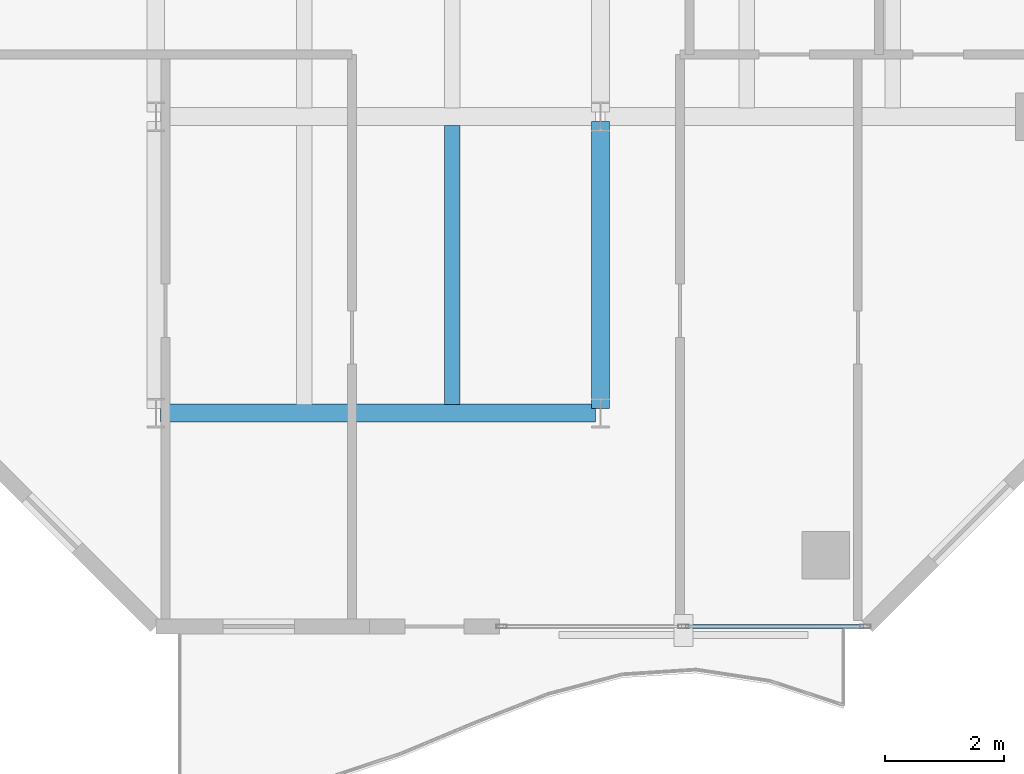
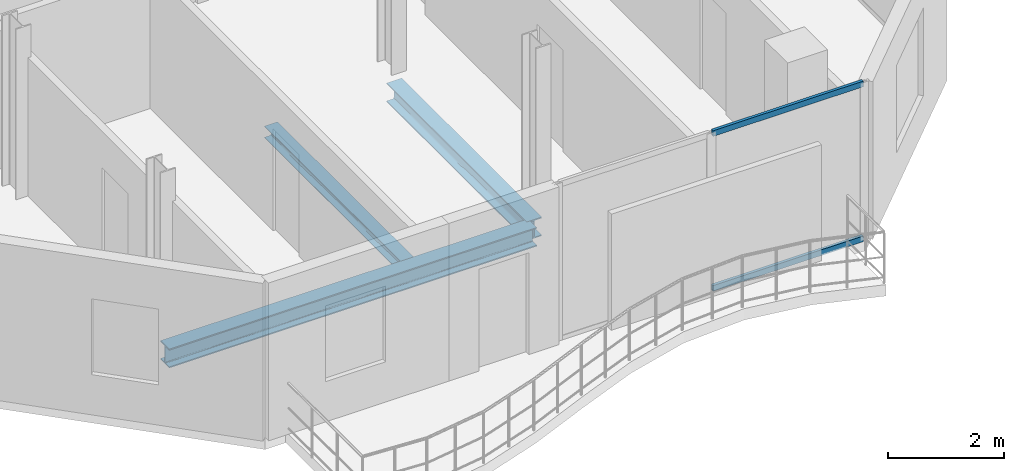
# One storey, part 4 of 23: 3 beams, 2 members, 1 element without a shape of its own.
"""IFC4 building model written with IfcOpenShell, lengths in metres."""

from ifc_helpers import new_model, si_unit, direction, frame, origin, origin_2d, place, context, subcontext, project, spatial, hollow_rectangle, i_section, extrude, material, layer, layer_set, material_profile, profile_set, type_object, element, aggregate, save


model = new_model("IFC4")

# Units and contexts
model_context = context("Model", 3, precision=1e-05, world=origin(), true_north=direction((0.0, 1.0)))
body_context = subcontext(model_context, "Body", "Model", "MODEL_VIEW")
ifc_project = project(units=[si_unit("LENGTHUNIT", "METRE"), si_unit("AREAUNIT", "SQUARE_METRE"), si_unit("VOLUMEUNIT", "CUBIC_METRE"), si_unit("PLANEANGLEUNIT", "RADIAN"), si_unit("MASSUNIT", "GRAM", prefix="KILO")], contexts=[model_context])

# Site, building, storey
site_placement = place(None, origin())
site = spatial("IfcSite", under=ifc_project, at=site_placement, CompositionType="ELEMENT")
building_placement = place(site_placement, origin())
building = spatial("IfcBuilding", under=site, at=building_placement, Name="Catumbela Crestline Tower", CompositionType="ELEMENT")
storey_placement = place(building_placement, frame((0.0, 0.0, 186.6)))
storey = spatial("IfcBuildingStorey", under=building, at=storey_placement, Name="L48", CompositionType="ELEMENT", Elevation=186.6)

# Beams
ifc_material_1 = material(Name="Structural steel S355J2", Category="steel")
ifc_material_profile_1 = material_profile(ifc_material_1, i_section(OverallWidth=0.3, OverallDepth=0.4, WebThickness=0.0135, FlangeThickness=0.024, FilletRadius=0.027, at=origin_2d()), Name="HEB 400")
ifc_profile_set_1 = profile_set([ifc_material_profile_1], Name="Structural steel S355J2")
beam_type_1 = type_object("IfcBeamType", Name="BG-HEB400", PredefinedType="BEAM", material=ifc_profile_set_1)
beam_1_placement = place(storey_placement, frame((8.58, 8.6, -0.46), z_axis=(1.0, 0.0, 0.0), x_axis=(0.0, 1.0, 0.0)))
element("IfcBeam", 1, at=beam_1_placement, inside=storey, type_object=beam_type_1, Name="L48 Beam BM-L48-WEW32", PredefinedType="BEAM", context=body_context, shape_type="SweptSolid", body=[
    extrude(i_section(OverallWidth=0.3, OverallDepth=0.4, WebThickness=0.0135, FlangeThickness=0.024, FilletRadius=0.027, at=origin_2d()), origin(), (0.0, 0.0, 1.0), 7.34),
])
beam_2_placement = place(storey_placement, frame((16.0, 8.68, -0.46), z_axis=(0.0, 1.0, 0.0), x_axis=(-1.0, 0.0, 0.0)))
element("IfcBeam", 2, at=beam_2_placement, inside=storey, type_object=beam_type_1, Name="L48 Beam BM-L48-WNS40", PredefinedType="BEAM", context=body_context, shape_type="SweptSolid", body=[
    extrude(i_section(OverallWidth=0.3, OverallDepth=0.4, WebThickness=0.0135, FlangeThickness=0.024, FilletRadius=0.027, at=origin_2d()), origin(), (0.0, 0.0, 1.0), 4.84),
])
ifc_material_profile_2 = material_profile(ifc_material_1, i_section(OverallWidth=0.26, OverallDepth=0.25, WebThickness=0.0075, FlangeThickness=0.0125, FilletRadius=0.024, at=origin_2d()), Name="HEA 260")
ifc_profile_set_2 = profile_set([ifc_material_profile_2], Name="Structural steel S355J2")
beam_type_2 = type_object("IfcBeamType", Name="BJ-HEA260", PredefinedType="JOIST", material=ifc_profile_set_2)
beam_3_placement = place(storey_placement, frame((13.5, 8.747, -0.385), z_axis=(0.0, 1.0, 0.0), x_axis=(-1.0, 0.0, 0.0)))
element("IfcBeam", 3, at=beam_3_placement, inside=storey, type_object=beam_type_2, Name="L48 Joist JS-L48-WG45", PredefinedType="JOIST", context=body_context, shape_type="SweptSolid", body=[
    extrude(i_section(OverallWidth=0.26, OverallDepth=0.25, WebThickness=0.0075, FlangeThickness=0.0125, FilletRadius=0.024, at=origin_2d()), origin(), (0.0, 0.0, 1.0), 4.706),
])

# Curtain wall, members
ifc_material_2 = material(Name="Aluminium alloy AW-6060-T66", Category="aluminium")
ifc_layer = layer(ifc_material_2, 0.18, Name="Aluminium alloy AW-6060-T66")
ifc_layer_set = layer_set([ifc_layer], Name="Aluminium alloy AW-6060-T66")
curtain_wall_type = type_object("IfcCurtainWallType", Name="CWU-Z3", PredefinedType="USERDEFINED", material=ifc_layer_set)
curtain_wall_placement = place(storey_placement, origin())
curtain_wall = element("IfcCurtainWall", 4, at=curtain_wall_placement, inside=storey, type_object=curtain_wall_type, Name="L48 Unitised Curtain Wall CW-L48-E0S2", ObjectType="UNITISED", PredefinedType="USERDEFINED")
ifc_material_profile_3 = material_profile(ifc_material_2, hollow_rectangle(XDim=0.06, YDim=0.12, WallThickness=0.0035, at=origin_2d()), Name="ALU 120x60x3.5")
ifc_profile_set_3 = profile_set([ifc_material_profile_3], Name="Aluminium alloy AW-6060-T66")
member_type = type_object("IfcMemberType", Name="TRN-120X60", PredefinedType="USERDEFINED", material=ifc_profile_set_3)
member_1_placement = place(storey_placement, frame((17.4325, 5.0, 0.03), z_axis=(1.0, 0.0, 0.0), x_axis=(0.0, 1.0, 0.0)))
member_1 = element("IfcMember", 5, at=member_1_placement, type_object=member_type, Name="CWU-Z3 transom 2.1", ObjectType="TRANSOM", PredefinedType="USERDEFINED", context=body_context, shape_type="SweptSolid", body=[
    extrude(hollow_rectangle(XDim=0.06, YDim=0.12, WallThickness=0.0035, at=origin_2d()), origin(), (0.0, 0.0, 1.0), 3.0025),
])
member_2_placement = place(storey_placement, frame((17.4325, 5.0, 3.3), z_axis=(1.0, 0.0, 0.0), x_axis=(0.0, 1.0, 0.0)))
member_2 = element("IfcMember", 6, at=member_2_placement, type_object=member_type, Name="CWU-Z3 transom 2.2", ObjectType="TRANSOM", PredefinedType="USERDEFINED", context=body_context, shape_type="SweptSolid", body=[
    extrude(hollow_rectangle(XDim=0.06, YDim=0.12, WallThickness=0.0035, at=origin_2d()), origin(), (0.0, 0.0, 1.0), 3.0025),
])
aggregate(curtain_wall, [member_1, member_2])

save(model, "model.ifc")
